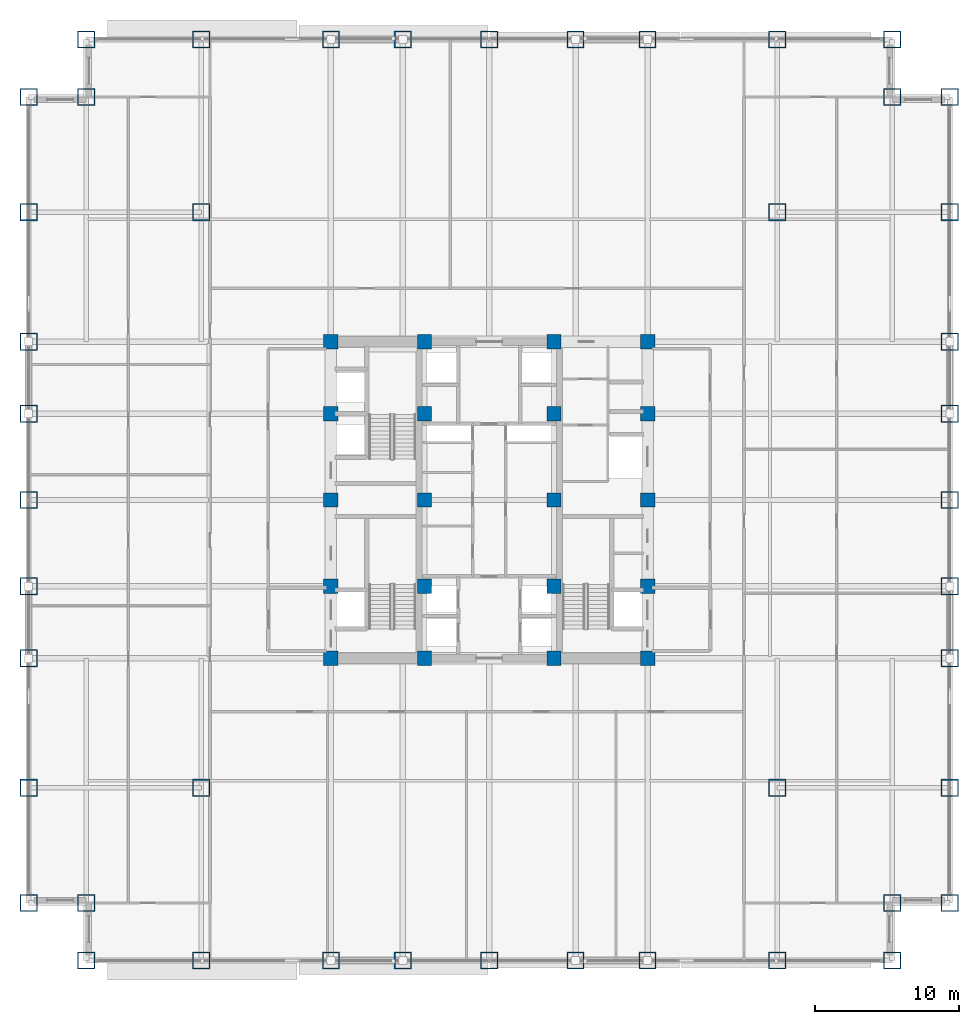
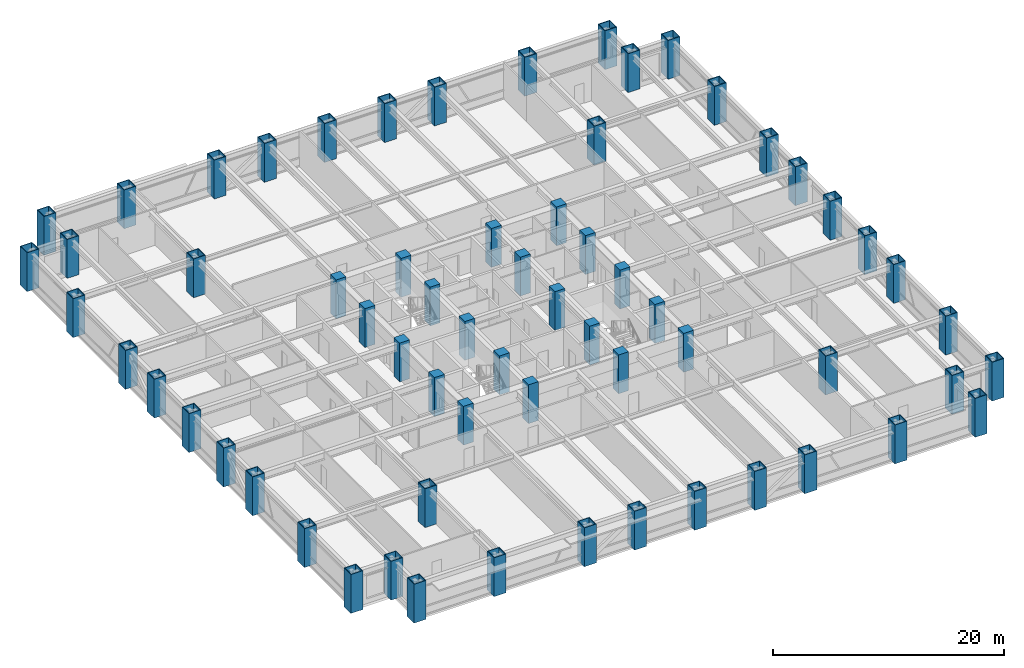
# One storey, part 1 of 32: 64 columns.
"""IFC4 building model written with IfcOpenShell, lengths in metres."""

from ifc_helpers import new_model, si_unit, direction, frame, origin, origin_2d, place, context, subcontext, project, spatial, rectangle, hollow_rectangle, extrude, source, transform, mapped, material, material_profile, profile_set, type_object, element, save


model = new_model("IFC4")

# Units and contexts
model_context = context("Model", 3, precision=1e-05, world=origin(), true_north=direction((0.0, 1.0)))
body_context = subcontext(model_context, "Body", "Model", "MODEL_VIEW")
ifc_project = project(units=[si_unit("LENGTHUNIT", "METRE"), si_unit("AREAUNIT", "SQUARE_METRE"), si_unit("VOLUMEUNIT", "CUBIC_METRE"), si_unit("PLANEANGLEUNIT", "RADIAN"), si_unit("MASSUNIT", "GRAM", prefix="KILO")], contexts=[model_context])

# Site, building, storey
site_placement = place(None, origin())
site = spatial("IfcSite", under=ifc_project, at=site_placement, CompositionType="ELEMENT")
building_placement = place(site_placement, origin())
building = spatial("IfcBuilding", under=site, at=building_placement, Name="Khorayat Bourse Tower", CompositionType="ELEMENT")
storey_placement = place(building_placement, frame((0.0, 0.0, 132.39990234375)))
storey = spatial("IfcBuildingStorey", under=building, at=storey_placement, Name="L30", CompositionType="ELEMENT", Elevation=132.39990234375)

# Columns
ifc_material_1 = material(Name="Steel EN 10025-4 S460M", Category="steel")
ifc_material_profile_1 = material_profile(ifc_material_1, hollow_rectangle(XDim=1.199951171875, YDim=1.199951171875, WallThickness=0.070068359375, at=origin_2d()), Name="BOX 1200x1200x70")
ifc_profile_set_1 = profile_set([ifc_material_profile_1], Name="Steel EN 10025-4 S460M")
column_type_1 = type_object("IfcColumnType", Name="COL-TUBE-1200", PredefinedType="COLUMN", material=ifc_profile_set_1)
shared_shape_1 = source(origin(), body_context, "Body", "SweptSolid", [
    extrude(hollow_rectangle(XDim=1.199951171875, YDim=1.199951171875, WallThickness=0.070068359375, at=origin_2d()), origin(), (0.0, 0.0, 1.0), 4.10009765625),
])
for number, where, z_axis, x_axis, name in (
    (1, (-32.0, -28.0, 0.0), (0.0, 0.0, 1.0), (1.0, 0.0, 0.0), "L30 Column 001"),
    (2, (-32.0, -20.0, 0.0), (0.0, 0.0, 1.0), (1.0, 0.0, 0.0), "L30 Column 002"),
    (3, (-32.0, -11.0, 0.0), (0.0, 0.0, 1.0), (1.0, 0.0, 0.0), "L30 Column 003"),
    (4, (-32.0, -6.0, 0.0), (0.0, 0.0, 1.0), (1.0, 0.0, 0.0), "L30 Column 004"),
    (5, (-32.0, 0.0, 0.0), (0.0, 0.0, 1.0), (1.0, 0.0, 0.0), "L30 Column 005"),
    (6, (-32.0, 6.0, 0.0), (0.0, 0.0, 1.0), (1.0, 0.0, 0.0), "L30 Column 006"),
    (7, (-32.0, 11.0, 0.0), (0.0, 0.0, 1.0), (1.0, 0.0, 0.0), "L30 Column 007"),
    (8, (-32.0, 20.0, 0.0), (0.0, 0.0, 1.0), (1.0, 0.0, 0.0), "L30 Column 008"),
    (9, (-32.0, 28.0, 0.0), (0.0, 0.0, 1.0), (1.0, 0.0, 0.0), "L30 Column 009"),
    (10, (-28.0, -32.0, 0.0), (0.0, 0.0, 1.0), (1.0, 0.0, 0.0), "L30 Column 010"),
    (11, (-28.0, -28.0, 0.0), (0.0, 0.0, 1.0), (1.0, 0.0, 0.0), "L30 Column 011"),
    (12, (-28.0, 28.0, 0.0), (0.0, 0.0, 1.0), (1.0, 0.0, 0.0), "L30 Column 012"),
    (13, (-28.0, 32.0, 0.0), (0.0, 0.0, 1.0), (1.0, 0.0, 0.0), "L30 Column 013"),
    (14, (-20.0, -32.0, 0.0), (0.0, 0.0, 1.0), (1.0, 0.0, 0.0), "L30 Column 014"),
    (15, (-20.0, -20.0, 0.0), (0.0, 0.0, 1.0), (1.0, 0.0, 0.0), "L30 Column 015"),
    (16, (-20.0, 20.0, 0.0), (0.0, 0.0, 1.0), (1.0, 0.0, 0.0), "L30 Column 016"),
    (17, (-20.0, 32.0, 0.0), (0.0, 0.0, 1.0), (1.0, 0.0, 0.0), "L30 Column 017"),
    (18, (-11.0, -32.0, 0.0), (0.0, 0.0, 1.0), (1.0, 0.0, 0.0), "L30 Column 018"),
    (19, (-11.0, 32.0, 0.0), (0.0, 0.0, 1.0), (1.0, 0.0, 0.0), "L30 Column 024"),
    (20, (-6.0, -32.0, 0.0), (0.0, 0.0, 1.0), (1.0, 0.0, 0.0), "L30 Column 025"),
    (21, (-6.0, 32.0, 0.0), (0.0, 0.0, 1.0), (1.0, 0.0, 0.0), "L30 Column 026"),
    (22, (0.0, -32.0, 0.0), (0.0, 0.0, 1.0), (1.0, 0.0, 0.0), "L30 Column 032"),
    (23, (0.0, 32.0, 0.0), (0.0, 0.0, 1.0), (1.0, 0.0, 0.0), "L30 Column 033"),
    (24, (6.0, -32.0, 0.0), (0.0, 0.0, 1.0), (1.0, 0.0, 0.0), "L30 Column 039"),
    (25, (6.0, 32.0, 0.0), (0.0, 0.0, 1.0), (1.0, 0.0, 0.0), "L30 Column 040"),
    (26, (11.0, -32.0, 0.0), (0.0, 0.0, 1.0), (1.0, 0.0, 0.0), "L30 Column 041"),
    (27, (11.0, 32.0, 0.0), (0.0, 0.0, 1.0), (1.0, 0.0, 0.0), "L30 Column 047"),
    (28, (20.0, -32.0, 0.0), (0.0, 0.0, 1.0), (1.0, 0.0, 0.0), "L30 Column 048"),
    (29, (20.0, -20.0, 0.0), (0.0, 0.0, 1.0), (1.0, 0.0, 0.0), "L30 Column 049"),
    (30, (20.0, 20.0, 0.0), (0.0, 0.0, 1.0), (1.0, 0.0, 0.0), "L30 Column 050"),
    (31, (20.0, 32.0, 0.0), (0.0, 0.0, 1.0), (1.0, 0.0, 0.0), "L30 Column 051"),
    (32, (28.0, -32.0, 0.0), (0.0, 0.0, 1.0), (1.0, 0.0, 0.0), "L30 Column 052"),
    (33, (28.0, -28.0, 0.0), (0.0, 0.0, 1.0), (1.0, 0.0, 0.0), "L30 Column 053"),
    (34, (28.0, 28.0, 0.0), (0.0, 0.0, 1.0), (1.0, 0.0, 0.0), "L30 Column 054"),
    (35, (28.0, 32.0, 0.0), (0.0, 0.0, 1.0), (1.0, 0.0, 0.0), "L30 Column 055"),
    (36, (32.0, -28.0, 0.0), (0.0, 0.0, 1.0), (1.0, 0.0, 0.0), "L30 Column 056"),
    (37, (32.0, -20.0, 0.0), (0.0, 0.0, 1.0), (1.0, 0.0, 0.0), "L30 Column 057"),
    (38, (32.0, -11.0, 0.0), (0.0, 0.0, 1.0), (1.0, 0.0, 0.0), "L30 Column 058"),
    (39, (32.0, -6.0, 0.0), (0.0, 0.0, 1.0), (1.0, 0.0, 0.0), "L30 Column 059"),
    (40, (32.0, 0.0, 0.0), (0.0, 0.0, 1.0), (1.0, 0.0, 0.0), "L30 Column 060"),
    (41, (32.0, 6.0, 0.0), (0.0, 0.0, 1.0), (1.0, 0.0, 0.0), "L30 Column 061"),
    (42, (32.0, 11.0, 0.0), (0.0, 0.0, 1.0), (1.0, 0.0, 0.0), "L30 Column 062"),
    (43, (32.0, 20.0, 0.0), (0.0, 0.0, 1.0), (1.0, 0.0, 0.0), "L30 Column 063"),
    (44, (32.0, 28.0, 0.0), (0.0, 0.0, 1.0), (1.0, 0.0, 0.0), "L30 Column 064"),
):
    element("IfcColumn", number, at=place(storey_placement, frame(where, z_axis=z_axis, x_axis=x_axis)), inside=storey, type_object=column_type_1, Name=name, PredefinedType="COLUMN", context=body_context, shape_type="MappedRepresentation", body=[
        mapped(shared_shape_1, transform((0.0, 0.0, 0.0), scale=1.0)),
    ])
ifc_material_2 = material(Name="Concrete C72/90", Category="concrete")
ifc_material_profile_2 = material_profile(ifc_material_2, rectangle(XDim=1.0, YDim=1.0, at=origin_2d()), Name="RC 1000x1000")
ifc_profile_set_2 = profile_set([ifc_material_profile_2], Name="Concrete C72/90")
column_type_2 = type_object("IfcColumnType", Name="COL-CORE-1000", PredefinedType="COLUMN", material=ifc_profile_set_2)
shared_shape_2 = source(origin(), body_context, "Body", "SweptSolid", [
    extrude(rectangle(XDim=1.0, YDim=1.0, at=origin_2d()), origin(), (0.0, 0.0, 1.0), 4.10009765625),
])
for number, where, z_axis, x_axis, name in (
    (45, (-11.0, -11.0, 0.0), (0.0, 0.0, 1.0), (1.0, 0.0, 0.0), "L30 Column 019"),
    (46, (-11.0, -6.0, 0.0), (0.0, 0.0, 1.0), (1.0, 0.0, 0.0), "L30 Column 020"),
    (47, (-11.0, 0.0, 0.0), (0.0, 0.0, 1.0), (1.0, 0.0, 0.0), "L30 Column 021"),
    (48, (-11.0, 6.0, 0.0), (0.0, 0.0, 1.0), (1.0, 0.0, 0.0), "L30 Column 022"),
    (49, (-11.0, 11.0, 0.0), (0.0, 0.0, 1.0), (1.0, 0.0, 0.0), "L30 Column 023"),
    (50, (-4.5, -11.0, 0.0), (0.0, 0.0, 1.0), (1.0, 0.0, 0.0), "L30 Column 027"),
    (51, (-4.5, -6.0, 0.0), (0.0, 0.0, 1.0), (1.0, 0.0, 0.0), "L30 Column 028"),
    (52, (-4.5, 0.0, 0.0), (0.0, 0.0, 1.0), (1.0, 0.0, 0.0), "L30 Column 029"),
    (53, (-4.5, 6.0, 0.0), (0.0, 0.0, 1.0), (1.0, 0.0, 0.0), "L30 Column 030"),
    (54, (-4.5, 11.0, 0.0), (0.0, 0.0, 1.0), (1.0, 0.0, 0.0), "L30 Column 031"),
    (55, (4.5, -11.0, 0.0), (0.0, 0.0, 1.0), (1.0, 0.0, 0.0), "L30 Column 034"),
    (56, (4.5, -6.0, 0.0), (0.0, 0.0, 1.0), (1.0, 0.0, 0.0), "L30 Column 035"),
    (57, (4.5, 0.0, 0.0), (0.0, 0.0, 1.0), (1.0, 0.0, 0.0), "L30 Column 036"),
    (58, (4.5, 6.0, 0.0), (0.0, 0.0, 1.0), (1.0, 0.0, 0.0), "L30 Column 037"),
    (59, (4.5, 11.0, 0.0), (0.0, 0.0, 1.0), (1.0, 0.0, 0.0), "L30 Column 038"),
    (60, (11.0, -11.0, 0.0), (0.0, 0.0, 1.0), (1.0, 0.0, 0.0), "L30 Column 042"),
    (61, (11.0, -6.0, 0.0), (0.0, 0.0, 1.0), (1.0, 0.0, 0.0), "L30 Column 043"),
    (62, (11.0, 0.0, 0.0), (0.0, 0.0, 1.0), (1.0, 0.0, 0.0), "L30 Column 044"),
    (63, (11.0, 6.0, 0.0), (0.0, 0.0, 1.0), (1.0, 0.0, 0.0), "L30 Column 045"),
    (64, (11.0, 11.0, 0.0), (0.0, 0.0, 1.0), (1.0, 0.0, 0.0), "L30 Column 046"),
):
    element("IfcColumn", number, at=place(storey_placement, frame(where, z_axis=z_axis, x_axis=x_axis)), inside=storey, type_object=column_type_2, Name=name, PredefinedType="COLUMN", context=body_context, shape_type="MappedRepresentation", body=[
        mapped(shared_shape_2, transform((0.0, 0.0, 0.0), scale=1.0)),
    ])

save(model, "model.ifc")
